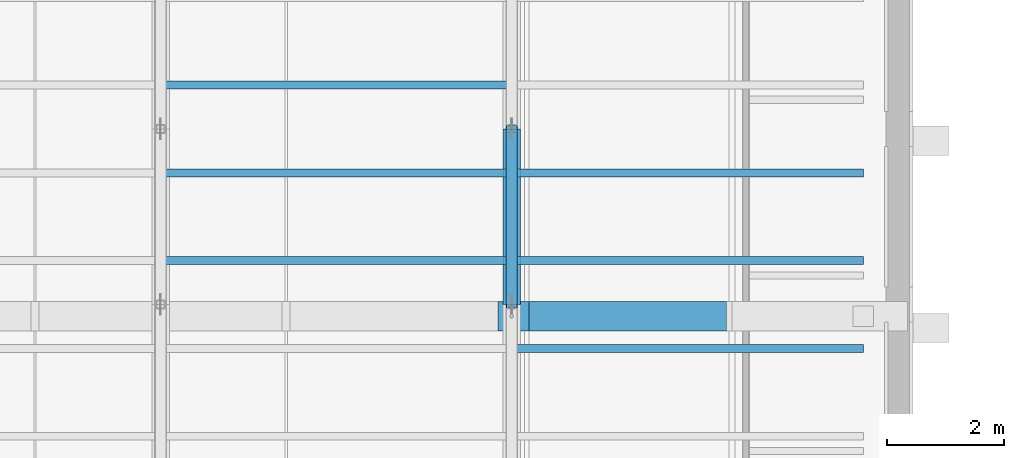
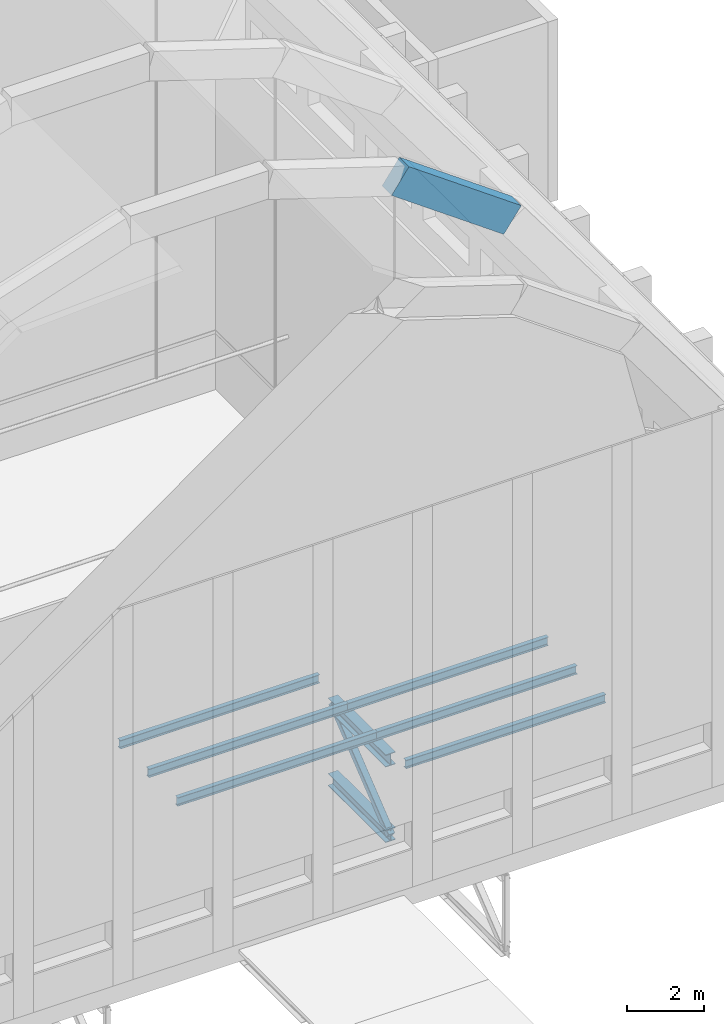
# One storey, part 14 of 55: 7 beams, 3 members.
"""IFC4 building model written with IfcOpenShell, lengths in metres."""

from ifc_helpers import new_model, si_unit, direction, frame, origin, origin_2d, place, context, subcontext, project, spatial, rectangle, hollow_rectangle, i_section, extrude, material, material_profile, profile_set, type_object, element, save


model = new_model("IFC4")

# Units and contexts
model_context = context("Model", 3, precision=1e-05, world=origin(), true_north=direction((0.0, 1.0)))
body_context = subcontext(model_context, "Body", "Model", "MODEL_VIEW")
ifc_project = project(units=[si_unit("LENGTHUNIT", "METRE"), si_unit("AREAUNIT", "SQUARE_METRE"), si_unit("VOLUMEUNIT", "CUBIC_METRE"), si_unit("PLANEANGLEUNIT", "RADIAN"), si_unit("MASSUNIT", "GRAM", prefix="KILO")], contexts=[model_context])

# Site, building, storey
site_placement = place(None, origin())
site = spatial("IfcSite", under=ifc_project, at=site_placement, CompositionType="ELEMENT")
building_placement = place(site_placement, origin())
building = spatial("IfcBuilding", under=site, at=building_placement, Name="Lunette Opera House", CompositionType="ELEMENT")
storey_placement = place(building_placement, frame((0.0, 0.0, 34.0)))
storey = spatial("IfcBuildingStorey", under=building, at=storey_placement, Name="L06", CompositionType="ELEMENT", Elevation=34.0)

# Beam
ifc_material_1 = material(Name="Concrete C40/50", Category="concrete")
ifc_material_profile_1 = material_profile(ifc_material_1, rectangle(XDim=0.5, YDim=0.89990234375, at=origin_2d()), Name="ARCH BEAM 500X900")
ifc_profile_set_1 = profile_set([ifc_material_profile_1], Name="Concrete C40/50")
beam_type_1 = type_object("IfcBeamType", Name="ARCH BEAM 500X900", PredefinedType="BEAM", material=ifc_profile_set_1)
beam_1_placement = place(storey_placement, frame((102.031005859375, 101.800048828125, 17.98193359375), z_axis=(0.81279485596, 0.0, -0.582550016844), x_axis=(0.0, 1.0, 0.0)))
element("IfcBeam", 1, at=beam_1_placement, inside=storey, type_object=beam_type_1, Name="beam-ST-L06-EAT2-6", PredefinedType="BEAM", context=body_context, shape_type="SweptSolid", body=[
    extrude(rectangle(XDim=0.5, YDim=0.89990234375, at=origin_2d()), origin(), (0.0, 0.0, 1.0), 4.15234375),
])

# Members
ifc_material_2 = material(Name="Steel S355", Category="steel")
ifc_material_profile_2 = material_profile(ifc_material_2, i_section(OverallWidth=0.300048828125, OverallDepth=0.389892578125, WebThickness=0.010986328125, FlangeThickness=0.01904296875, FilletRadius=0.027099609375, at=origin_2d()), Name="HEA 400")
ifc_profile_set_2 = profile_set([ifc_material_profile_2], Name="Steel S355")
member_type_1 = type_object("IfcMemberType", Name="CHORD HEA 400", PredefinedType="CHORD", material=ifc_profile_set_2)
for number, where, z_axis, x_axis, name in (
    (2, (102.0, 102.0, -0.6650390625), (0.0, 1.0, 0.0), (-1.0, 0.0, 0.0), "mem-ST-L06-ST-TR03-TC3"),
    (3, (102.0, 102.0, -3.06494140625), (0.0, 1.0, 0.0), (-1.0, 0.0, 0.0), "mem-ST-L06-ST-TR03-BC3"),
):
    element("IfcMember", number, at=place(storey_placement, frame(where, z_axis=z_axis, x_axis=x_axis)), inside=storey, type_object=member_type_1, Name=name, PredefinedType="CHORD", context=body_context, shape_type="SweptSolid", body=[
        extrude(i_section(OverallWidth=0.300048828125, OverallDepth=0.389892578125, WebThickness=0.010986328125, FlangeThickness=0.01904296875, FilletRadius=0.027099609375, at=origin_2d()), origin(), (0.0, 0.0, 1.0), 3.0),
    ])
ifc_material_3 = material(Name="Steel S355", Category="steel")
ifc_material_profile_3 = material_profile(ifc_material_3, hollow_rectangle(XDim=0.199951171875, YDim=0.199951171875, WallThickness=0.008056640625, InnerFilletRadius=0.008056640625, OuterFilletRadius=0.01611328125, at=origin_2d()), Name="RHS 200X200X8")
ifc_profile_set_3 = profile_set([ifc_material_profile_3], Name="Steel S355")
member_type_2 = type_object("IfcMemberType", Name="DIAGONAL RHS 200X200X8", PredefinedType="BRACE", material=ifc_profile_set_3)
member_placement = place(storey_placement, frame((102.0, 102.0, -3.06494140625), z_axis=(0.0, 0.780881208953, 0.624679547852), x_axis=(-1.0, 0.0, 0.0)))
element("IfcMember", 4, at=member_placement, inside=storey, type_object=member_type_2, Name="mem-ST-L06-ST-TR03-TD3", PredefinedType="BRACE", context=body_context, shape_type="SweptSolid", body=[
    extrude(hollow_rectangle(XDim=0.199951171875, YDim=0.199951171875, WallThickness=0.008056640625, InnerFilletRadius=0.008056640625, OuterFilletRadius=0.01611328125, at=origin_2d()), origin(), (0.0, 0.0, 1.0), 3.841796875),
])

# Beams
ifc_material_4 = material(Name="Steel S355", Category="steel")
ifc_material_profile_4 = material_profile(ifc_material_4, i_section(OverallWidth=0.135009765625, OverallDepth=0.27001953125, WebThickness=0.006591796875, FlangeThickness=0.01025390625, FilletRadius=0.014892578125, at=origin_2d()), Name="IPE 270")
ifc_profile_set_4 = profile_set([ifc_material_profile_4], Name="Steel S355")
beam_type_2 = type_object("IfcBeamType", Name="STEEL BEAM IPE 270", PredefinedType="BEAM", material=ifc_profile_set_4)
beam_2_placement = place(storey_placement, frame((102.0, 101.25, -0.3349609375), z_axis=(1.0, 0.0, 0.0), x_axis=(0.0, 1.0, 0.0)))
element("IfcBeam", 5, at=beam_2_placement, inside=storey, type_object=beam_type_2, Name="beam-ST-L06-GRID-10125-4", PredefinedType="BEAM", context=body_context, shape_type="SweptSolid", body=[
    extrude(i_section(OverallWidth=0.135009765625, OverallDepth=0.27001953125, WebThickness=0.006591796875, FlangeThickness=0.01025390625, FilletRadius=0.014892578125, at=origin_2d()), origin(), (0.0, 0.0, 1.0), 6.010009765625),
])
beam_3_placement = place(storey_placement, frame((96.0, 102.75, -0.3349609375), z_axis=(1.0, 0.0, 0.0), x_axis=(0.0, 1.0, 0.0)))
element("IfcBeam", 6, at=beam_3_placement, inside=storey, type_object=beam_type_2, Name="beam-ST-L06-GRID-10275-3", PredefinedType="BEAM", context=body_context, shape_type="SweptSolid", body=[
    extrude(i_section(OverallWidth=0.135009765625, OverallDepth=0.27001953125, WebThickness=0.006591796875, FlangeThickness=0.01025390625, FilletRadius=0.014892578125, at=origin_2d()), origin(), (0.0, 0.0, 1.0), 6.0),
])
beam_4_placement = place(storey_placement, frame((102.0, 102.75, -0.3349609375), z_axis=(1.0, 0.0, 0.0), x_axis=(0.0, 1.0, 0.0)))
element("IfcBeam", 7, at=beam_4_placement, inside=storey, type_object=beam_type_2, Name="beam-ST-L06-GRID-10275-4", PredefinedType="BEAM", context=body_context, shape_type="SweptSolid", body=[
    extrude(i_section(OverallWidth=0.135009765625, OverallDepth=0.27001953125, WebThickness=0.006591796875, FlangeThickness=0.01025390625, FilletRadius=0.014892578125, at=origin_2d()), origin(), (0.0, 0.0, 1.0), 6.010009765625),
])
beam_5_placement = place(storey_placement, frame((96.0, 104.25, -0.3349609375), z_axis=(1.0, 0.0, 0.0), x_axis=(0.0, 1.0, 0.0)))
element("IfcBeam", 8, at=beam_5_placement, inside=storey, type_object=beam_type_2, Name="beam-ST-L06-GRID-10425-3", PredefinedType="BEAM", context=body_context, shape_type="SweptSolid", body=[
    extrude(i_section(OverallWidth=0.135009765625, OverallDepth=0.27001953125, WebThickness=0.006591796875, FlangeThickness=0.01025390625, FilletRadius=0.014892578125, at=origin_2d()), origin(), (0.0, 0.0, 1.0), 6.0),
])
beam_6_placement = place(storey_placement, frame((102.0, 104.25, -0.3349609375), z_axis=(1.0, 0.0, 0.0), x_axis=(0.0, 1.0, 0.0)))
element("IfcBeam", 9, at=beam_6_placement, inside=storey, type_object=beam_type_2, Name="beam-ST-L06-GRID-10425-4", PredefinedType="BEAM", context=body_context, shape_type="SweptSolid", body=[
    extrude(i_section(OverallWidth=0.135009765625, OverallDepth=0.27001953125, WebThickness=0.006591796875, FlangeThickness=0.01025390625, FilletRadius=0.014892578125, at=origin_2d()), origin(), (0.0, 0.0, 1.0), 6.010009765625),
])
beam_7_placement = place(storey_placement, frame((96.0, 105.75, -0.3349609375), z_axis=(1.0, 0.0, 0.0), x_axis=(0.0, 1.0, 0.0)))
element("IfcBeam", 10, at=beam_7_placement, inside=storey, type_object=beam_type_2, Name="beam-ST-L06-GRID-10575-3", PredefinedType="BEAM", context=body_context, shape_type="SweptSolid", body=[
    extrude(i_section(OverallWidth=0.135009765625, OverallDepth=0.27001953125, WebThickness=0.006591796875, FlangeThickness=0.01025390625, FilletRadius=0.014892578125, at=origin_2d()), origin(), (0.0, 0.0, 1.0), 6.0),
])

save(model, "model.ifc")
